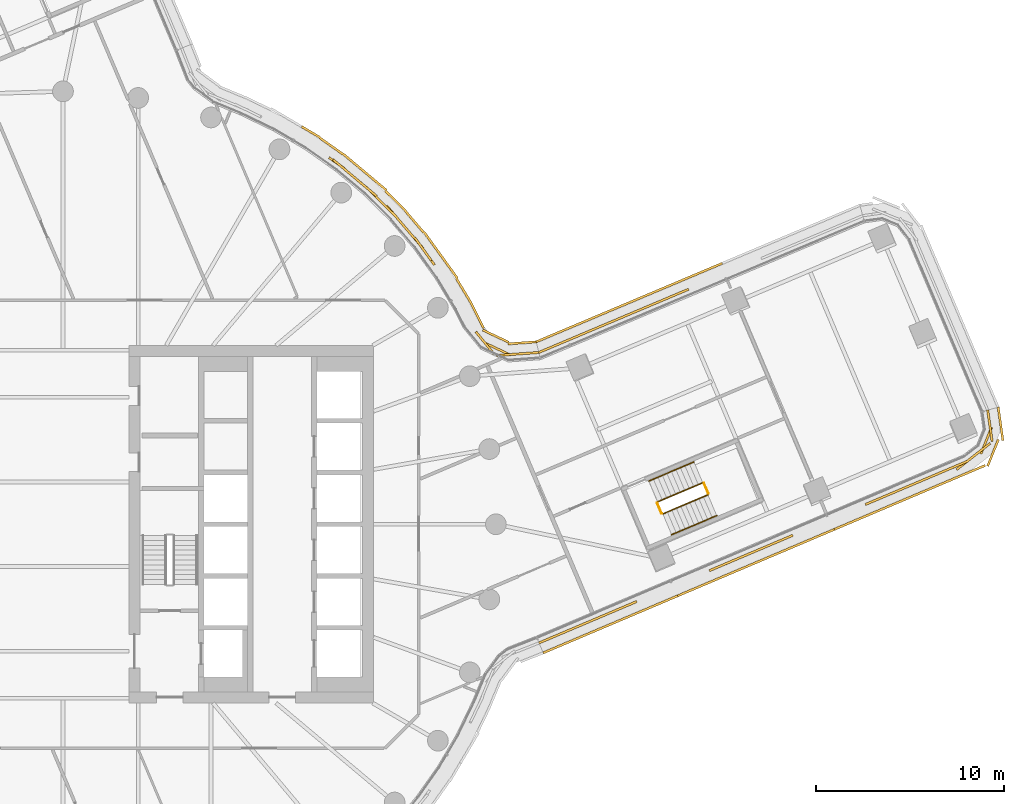
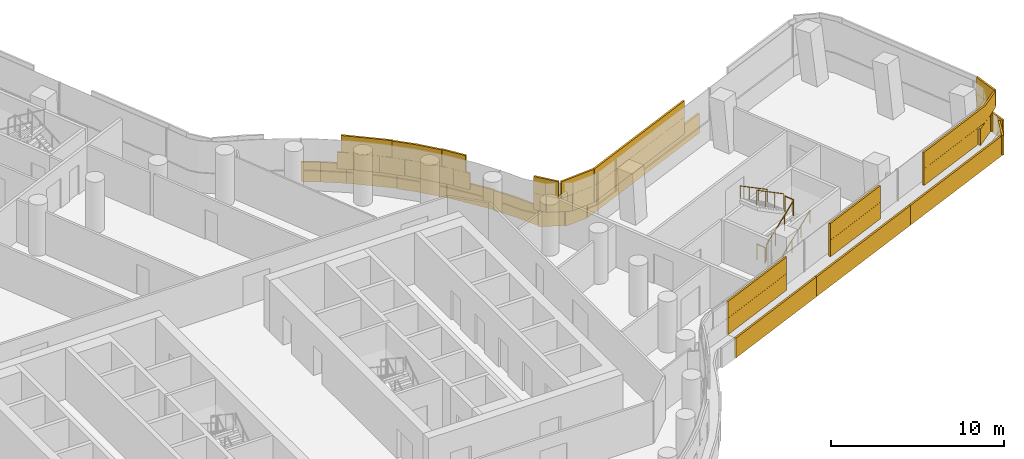
# One storey, part 32 of 35: 6 railings, 5 coverings.
"""IFC4 building model written with IfcOpenShell, lengths in metres."""

from ifc_helpers import new_model, si_unit, direction, frame, origin, origin_2d, place, context, subcontext, project, spatial, rectangle, circle, extrude, material, layer, layer_set, type_object, element, save


model = new_model("IFC4")

# Units and contexts
model_context = context("Model", 3, precision=1e-05, world=origin(), true_north=direction((0.0, 1.0)))
body_context = subcontext(model_context, "Body", "Model", "MODEL_VIEW")
ifc_project = project(units=[si_unit("LENGTHUNIT", "METRE"), si_unit("AREAUNIT", "SQUARE_METRE"), si_unit("VOLUMEUNIT", "CUBIC_METRE"), si_unit("PLANEANGLEUNIT", "RADIAN"), si_unit("MASSUNIT", "GRAM", prefix="KILO")], contexts=[model_context])

# Site, building, storey
site_placement = place(None, origin())
site = spatial("IfcSite", under=ifc_project, at=site_placement, CompositionType="ELEMENT")
building_placement = place(site_placement, origin())
building = spatial("IfcBuilding", under=site, at=building_placement, Name="Tamarind Cross Interchange Tower", CompositionType="ELEMENT")
storey_placement = place(building_placement, frame((0.0, 0.0, 117.25)))
storey = spatial("IfcBuildingStorey", under=building, at=storey_placement, Name="L28", CompositionType="ELEMENT", Elevation=117.25)

# Railings
ifc_material_1 = material(Name="Stair guard")
railing_type_1 = type_object("IfcRailingType", Name="Stair guard", PredefinedType="GUARDRAIL", material=ifc_material_1)
railing_1_placement = place(storey_placement, frame((31.869873046875, 0.547607421875, 0.17041015625)))
element("IfcRailing", 1, at=railing_1_placement, inside=storey, type_object=railing_type_1, Name="L28 ST3 stair guard 1", PredefinedType="GUARDRAIL", context=body_context, shape_type="SweptSolid", body=[
    extrude(circle(Radius=0.02392578125, at=origin_2d()), frame((0.0, 0.0, 1.076171875), z_axis=(0.769885340625, 0.326596606657, 0.548280237479), x_axis=(-0.390528143899, 0.920590988888, 0.0)), (0.0, 0.0, 1.0), 3.10888671875),
    extrude(circle(Radius=0.02099609375, at=origin_2d()), origin(), (0.0, 0.0, 1.0), 1.052001953125),
    extrude(circle(Radius=0.02099609375, at=origin_2d()), frame((0.7978515625, 0.33837890625, 0.568115234375)), (0.0, 0.0, 1.0), 1.052001953125),
    extrude(circle(Radius=0.02099609375, at=origin_2d()), frame((1.595703125, 0.677001953125, 1.136474609375)), (0.0, 0.0, 1.0), 1.052001953125),
    extrude(circle(Radius=0.02099609375, at=origin_2d()), frame((2.3935546875, 1.015380859375, 1.70458984375)), (0.0, 0.0, 1.0), 1.052001953125),
])
railing_2_placement = place(storey_placement, frame((34.289794921875, 1.62841796875, 1.875)))
element("IfcRailing", 2, at=railing_2_placement, inside=storey, type_object=railing_type_1, Name="L28 ST3 stair guard 2", PredefinedType="GUARDRAIL", context=body_context, shape_type="SweptSolid", body=[
    extrude(circle(Radius=0.02392578125, at=origin_2d()), frame((0.0, 0.0, 1.076171875), z_axis=(-0.390184111939, 0.920736856431, 0.0), x_axis=(-0.920736856431, -0.390184111939, 0.0)), (0.0, 0.0, 1.0), 0.60009765625),
    extrude(circle(Radius=0.02099609375, at=origin_2d()), origin(), (0.0, 0.0, 1.0), 1.052001953125),
    extrude(circle(Radius=0.02099609375, at=origin_2d()), frame((-0.234130859375, 0.552490234375, 0.0)), (0.0, 0.0, 1.0), 1.052001953125),
])
railing_3_placement = place(storey_placement, frame((33.989990234375, 2.207275390625, 2.04541015625)))
element("IfcRailing", 3, at=railing_3_placement, inside=storey, type_object=railing_type_1, Name="L28 ST3 stair guard 3", PredefinedType="GUARDRAIL", context=body_context, shape_type="SweptSolid", body=[
    extrude(circle(Radius=0.02392578125, at=origin_2d()), frame((0.0, 0.0, 1.076171875), z_axis=(-0.769905084162, -0.326526452463, 0.548294298003), x_axis=(0.390448560819, -0.920624745135, 0.0)), (0.0, 0.0, 1.0), 3.10888671875),
    extrude(circle(Radius=0.02099609375, at=origin_2d()), origin(), (0.0, 0.0, 1.0), 1.052001953125),
    extrude(circle(Radius=0.02099609375, at=origin_2d()), frame((-0.7978515625, -0.33837890625, 0.568115234375)), (0.0, 0.0, 1.0), 1.052001953125),
    extrude(circle(Radius=0.02099609375, at=origin_2d()), frame((-1.595703125, -0.6767578125, 1.136474609375)), (0.0, 0.0, 1.0), 1.052001953125),
    extrude(circle(Radius=0.02099609375, at=origin_2d()), frame((-2.3935546875, -1.01513671875, 1.70458984375)), (0.0, 0.0, 1.0), 1.052001953125),
])
railing_4_placement = place(storey_placement, frame((31.80419921875, 0.57421875, 0.0)))
element("IfcRailing", 4, at=railing_4_placement, inside=storey, type_object=railing_type_1, Name="L28 ST3 stair guard 4", PredefinedType="GUARDRAIL", context=body_context, shape_type="SweptSolid", body=[
    extrude(circle(Radius=0.02392578125, at=origin_2d()), frame((0.0, 0.0, 1.076171875), z_axis=(-0.390675254549, 0.920528568532, 0.0), x_axis=(-0.920528568532, -0.390675254549, 0.0)), (0.0, 0.0, 1.0), 0.599853515625),
    extrude(circle(Radius=0.02099609375, at=origin_2d()), origin(), (0.0, 0.0, 1.0), 1.052001953125),
    extrude(circle(Radius=0.02099609375, at=origin_2d()), frame((-0.234375, 0.55224609375, 0.0)), (0.0, 0.0, 1.0), 1.052001953125),
])
ifc_material_2 = material(Name="Stair handrail")
railing_type_2 = type_object("IfcRailingType", Name="Stair handrail", PredefinedType="HANDRAIL", material=ifc_material_2)
railing_5_placement = place(storey_placement, frame((32.33837890625, -0.55712890625, 0.17041015625)))
element("IfcRailing", 5, at=railing_5_placement, inside=storey, type_object=railing_type_2, Name="L28 ST3 stair handrail 1", PredefinedType="HANDRAIL", context=body_context, shape_type="SweptSolid", body=[
    extrude(circle(Radius=0.02392578125, at=origin_2d()), frame((0.0, 0.0, 0.8759765625), z_axis=(0.769885340625, 0.326596606657, 0.548280237479), x_axis=(-0.390528143899, 0.920590988888, 0.0)), (0.0, 0.0, 1.0), 3.10888671875),
    extrude(circle(Radius=0.02099609375, at=origin_2d()), origin(), (0.0, 0.0, 1.0), 0.851806640625),
    extrude(circle(Radius=0.02099609375, at=origin_2d()), frame((0.7978515625, 0.33837890625, 0.568115234375)), (0.0, 0.0, 1.0), 0.851806640625),
    extrude(circle(Radius=0.02099609375, at=origin_2d()), frame((1.595703125, 0.677001953125, 1.136474609375)), (0.0, 0.0, 1.0), 0.851806640625),
    extrude(circle(Radius=0.02099609375, at=origin_2d()), frame((2.3935546875, 1.015380859375, 1.70458984375)), (0.0, 0.0, 1.0), 0.851806640625),
])
railing_6_placement = place(storey_placement, frame((33.521484375, 3.31201171875, 2.04541015625)))
element("IfcRailing", 6, at=railing_6_placement, inside=storey, type_object=railing_type_2, Name="L28 ST3 stair handrail 2", PredefinedType="HANDRAIL", context=body_context, shape_type="SweptSolid", body=[
    extrude(circle(Radius=0.02392578125, at=origin_2d()), frame((0.0, 0.0, 0.8759765625), z_axis=(-0.769905084162, -0.326526452463, 0.548294298003), x_axis=(0.390448560819, -0.920624745135, 0.0)), (0.0, 0.0, 1.0), 3.10888671875),
    extrude(circle(Radius=0.02099609375, at=origin_2d()), origin(), (0.0, 0.0, 1.0), 0.851806640625),
    extrude(circle(Radius=0.02099609375, at=origin_2d()), frame((-0.7978515625, -0.33837890625, 0.568115234375)), (0.0, 0.0, 1.0), 0.851806640625),
    extrude(circle(Radius=0.02099609375, at=origin_2d()), frame((-1.595703125, -0.6767578125, 1.136474609375)), (0.0, 0.0, 1.0), 0.851806640625),
    extrude(circle(Radius=0.02099609375, at=origin_2d()), frame((-2.3935546875, -1.01513671875, 1.70458984375)), (0.0, 0.0, 1.0), 0.851806640625),
])

# Coverings
ifc_material_3 = material(Name="Terracotta", Category="masonry")
ifc_layer = layer(ifc_material_3, 0.1201171875)
ifc_layer_set = layer_set([ifc_layer], Name="Terracotta")
covering_type = type_object("IfcCoveringType", Name="Terracotta baguette screen unit", PredefinedType="MOLDING", material=ifc_layer_set)
covering_1_placement = place(storey_placement, origin())
element("IfcCovering", 7, at=covering_1_placement, inside=storey, type_object=covering_type, Name="SCR-L28-07-00", PredefinedType="MOLDING", context=body_context, shape_type="SweptSolid", body=[
    extrude(rectangle(XDim=1.510009765625, YDim=0.1201171875, at=origin_2d()), frame((25.98388671875, -6.01171875, 1.404052734375), z_axis=(0.0, 0.0, 1.0), x_axis=(0.920603025823, 0.390499768049, 0.0)), (0.0, 0.0, 1.0), 1.1669921875),
    extrude(rectangle(XDim=1.52001953125, YDim=0.1201171875, at=origin_2d()), frame((27.36474609375, -5.42578125, 1.404052734375), z_axis=(0.0, 0.0, 1.0), x_axis=(0.920603025823, 0.390499768049, 0.0)), (0.0, 0.0, 1.0), 1.1669921875),
    extrude(rectangle(XDim=1.52001953125, YDim=0.1201171875, at=origin_2d()), frame((28.74560546875, -4.840087890625, 1.404052734375), z_axis=(0.0, 0.0, 1.0), x_axis=(0.920603025823, 0.390499768049, 0.0)), (0.0, 0.0, 1.0), 1.1669921875),
    extrude(rectangle(XDim=1.142822265625, YDim=0.1201171875, at=origin_2d()), frame((29.95751953125, -4.325927734375, 1.404052734375), z_axis=(0.0, 0.0, 1.0), x_axis=(0.920603025823, 0.390499768049, 0.0)), (0.0, 0.0, 1.0), 1.1669921875),
    extrude(rectangle(XDim=0.760009765625, YDim=0.1201171875, at=origin_2d()), frame((25.638671875, -6.157958984375, 2.5791015625), z_axis=(0.0, 0.0, 1.0), x_axis=(0.920603025823, 0.390499768049, 0.0)), (0.0, 0.0, 1.0), 1.1669921875),
    extrude(rectangle(XDim=1.52001953125, YDim=0.1201171875, at=origin_2d()), frame((26.67431640625, -5.71875, 2.5791015625), z_axis=(0.0, 0.0, 1.0), x_axis=(0.920603025823, 0.390499768049, 0.0)), (0.0, 0.0, 1.0), 1.1669921875),
    extrude(rectangle(XDim=1.52001953125, YDim=0.1201171875, at=origin_2d()), frame((28.05517578125, -5.133056640625, 2.5791015625), z_axis=(0.0, 0.0, 1.0), x_axis=(0.920603025823, 0.390499768049, 0.0)), (0.0, 0.0, 1.0), 1.1669921875),
    extrude(rectangle(XDim=1.52001953125, YDim=0.1201171875, at=origin_2d()), frame((29.43603515625, -4.547119140625, 2.5791015625), z_axis=(0.0, 0.0, 1.0), x_axis=(0.920603025823, 0.390499768049, 0.0)), (0.0, 0.0, 1.0), 1.1669921875),
    extrude(rectangle(XDim=0.392822265625, YDim=0.1201171875, at=origin_2d()), frame((30.302734375, -4.1796875, 2.5791015625), z_axis=(0.0, 0.0, 1.0), x_axis=(0.920603025823, 0.390499768049, 0.0)), (0.0, 0.0, 1.0), 1.1669921875),
    extrude(rectangle(XDim=1.510009765625, YDim=0.1201171875, at=origin_2d()), frame((26.205810546875, -6.541015625, 0.00390625), z_axis=(0.0, 0.0, 1.0), x_axis=(0.920603025823, 0.390499768049, 0.0)), (0.0, 0.0, 1.0), 1.39208984375),
    extrude(rectangle(XDim=1.52001953125, YDim=0.1201171875, at=origin_2d()), frame((27.582275390625, -5.95703125, 0.00390625), z_axis=(0.0, 0.0, 1.0), x_axis=(0.920603025823, 0.390499768049, 0.0)), (0.0, 0.0, 1.0), 1.39208984375),
    extrude(rectangle(XDim=1.52001953125, YDim=0.1201171875, at=origin_2d()), frame((28.963134765625, -5.371337890625, 0.00390625), z_axis=(0.0, 0.0, 1.0), x_axis=(0.920603025823, 0.390499768049, 0.0)), (0.0, 0.0, 1.0), 1.39208984375),
    extrude(rectangle(XDim=1.52001953125, YDim=0.1201171875, at=origin_2d()), frame((30.343994140625, -4.78564453125, 0.00390625), z_axis=(0.0, 0.0, 1.0), x_axis=(0.920603025823, 0.390499768049, 0.0)), (0.0, 0.0, 1.0), 1.39208984375),
    extrude(rectangle(XDim=1.52001953125, YDim=0.1201171875, at=origin_2d()), frame((31.724853515625, -4.199951171875, 0.00390625), z_axis=(0.0, 0.0, 1.0), x_axis=(0.920603025823, 0.390499768049, 0.0)), (0.0, 0.0, 1.0), 1.39208984375),
    extrude(rectangle(XDim=0.268798828125, YDim=0.1201171875, at=origin_2d()), frame((32.52978515625, -3.8583984375, 0.00390625), z_axis=(0.0, 0.0, 1.0), x_axis=(0.920603025823, 0.390499768049, 0.0)), (0.0, 0.0, 1.0), 1.39208984375),
])
covering_2_placement = place(storey_placement, origin())
element("IfcCovering", 8, at=covering_2_placement, inside=storey, type_object=covering_type, Name="SCR-L28-07-01", PredefinedType="MOLDING", context=body_context, shape_type="SweptSolid", body=[
    extrude(rectangle(XDim=0.67724609375, YDim=0.1201171875, at=origin_2d()), frame((34.652587890625, -2.33447265625, 1.404052734375), z_axis=(0.0, 0.0, 1.0), x_axis=(0.920603025823, 0.390499768049, 0.0)), (0.0, 0.0, 1.0), 1.1669921875),
    extrude(rectangle(XDim=1.52001953125, YDim=0.1201171875, at=origin_2d()), frame((35.650146484375, -1.911376953125, 1.404052734375), z_axis=(0.0, 0.0, 1.0), x_axis=(0.920603025823, 0.390499768049, 0.0)), (0.0, 0.0, 1.0), 1.1669921875),
    extrude(rectangle(XDim=1.52001953125, YDim=0.1201171875, at=origin_2d()), frame((37.031005859375, -1.32568359375, 1.404052734375), z_axis=(0.0, 0.0, 1.0), x_axis=(0.920603025823, 0.390499768049, 0.0)), (0.0, 0.0, 1.0), 1.1669921875),
    extrude(rectangle(XDim=1.147705078125, YDim=0.1201171875, at=origin_2d()), frame((38.2451171875, -0.810546875, 1.404052734375), z_axis=(0.0, 0.0, 1.0), x_axis=(0.920603025823, 0.390499768049, 0.0)), (0.0, 0.0, 1.0), 1.1669921875),
    extrude(rectangle(XDim=1.42724609375, YDim=0.1201171875, at=origin_2d()), frame((34.997802734375, -2.18798828125, 2.5791015625), z_axis=(0.0, 0.0, 1.0), x_axis=(0.920603025823, 0.390499768049, 0.0)), (0.0, 0.0, 1.0), 1.1669921875),
    extrude(rectangle(XDim=1.52001953125, YDim=0.1201171875, at=origin_2d()), frame((36.340576171875, -1.618408203125, 2.5791015625), z_axis=(0.0, 0.0, 1.0), x_axis=(0.920603025823, 0.390499768049, 0.0)), (0.0, 0.0, 1.0), 1.1669921875),
    extrude(rectangle(XDim=1.52001953125, YDim=0.1201171875, at=origin_2d()), frame((37.721435546875, -1.03271484375, 2.5791015625), z_axis=(0.0, 0.0, 1.0), x_axis=(0.920603025823, 0.390499768049, 0.0)), (0.0, 0.0, 1.0), 1.1669921875),
    extrude(rectangle(XDim=0.397705078125, YDim=0.1201171875, at=origin_2d()), frame((38.59033203125, -0.6640625, 2.5791015625), z_axis=(0.0, 0.0, 1.0), x_axis=(0.920603025823, 0.390499768049, 0.0)), (0.0, 0.0, 1.0), 1.1669921875),
    extrude(rectangle(XDim=1.251220703125, YDim=0.1201171875, at=origin_2d()), frame((33.2294921875, -3.561767578125, 0.00390625), z_axis=(0.0, 0.0, 1.0), x_axis=(0.920603025823, 0.390499768049, 0.0)), (0.0, 0.0, 1.0), 1.39208984375),
    extrude(rectangle(XDim=1.52001953125, YDim=0.1201171875, at=origin_2d()), frame((34.48681640625, -3.0283203125, 0.00390625), z_axis=(0.0, 0.0, 1.0), x_axis=(0.920603025823, 0.390499768049, 0.0)), (0.0, 0.0, 1.0), 1.39208984375),
    extrude(rectangle(XDim=1.52001953125, YDim=0.1201171875, at=origin_2d()), frame((35.86767578125, -2.442626953125, 0.00390625), z_axis=(0.0, 0.0, 1.0), x_axis=(0.920603025823, 0.390499768049, 0.0)), (0.0, 0.0, 1.0), 1.39208984375),
    extrude(rectangle(XDim=1.52001953125, YDim=0.1201171875, at=origin_2d()), frame((37.24853515625, -1.85693359375, 0.00390625), z_axis=(0.0, 0.0, 1.0), x_axis=(0.920603025823, 0.390499768049, 0.0)), (0.0, 0.0, 1.0), 1.39208984375),
    extrude(rectangle(XDim=1.52001953125, YDim=0.1201171875, at=origin_2d()), frame((38.62939453125, -1.271240234375, 0.00390625), z_axis=(0.0, 0.0, 1.0), x_axis=(0.920603025823, 0.390499768049, 0.0)), (0.0, 0.0, 1.0), 1.39208984375),
    extrude(rectangle(XDim=1.52001953125, YDim=0.1201171875, at=origin_2d()), frame((40.01025390625, -0.685302734375, 0.00390625), z_axis=(0.0, 0.0, 1.0), x_axis=(0.920603025823, 0.390499768049, 0.0)), (0.0, 0.0, 1.0), 1.39208984375),
    extrude(rectangle(XDim=0.3037109375, YDim=0.1201171875, at=origin_2d()), frame((40.831298828125, -0.337158203125, 0.00390625), z_axis=(0.0, 0.0, 1.0), x_axis=(0.920603025823, 0.390499768049, 0.0)), (0.0, 0.0, 1.0), 1.39208984375),
])
covering_3_placement = place(storey_placement, origin())
element("IfcCovering", 9, at=covering_3_placement, inside=storey, type_object=covering_type, Name="SCR-L28-07-02", PredefinedType="MOLDING", context=body_context, shape_type="SweptSolid", body=[
    extrude(rectangle(XDim=0.67236328125, YDim=0.1201171875, at=origin_2d()), frame((42.940185546875, 1.180908203125, 1.404052734375), z_axis=(0.0, 0.0, 1.0), x_axis=(0.920603025823, 0.390499768049, 0.0)), (0.0, 0.0, 1.0), 1.1669921875),
    extrude(rectangle(XDim=1.52001953125, YDim=0.1201171875, at=origin_2d()), frame((43.935546875, 1.60302734375, 1.404052734375), z_axis=(0.0, 0.0, 1.0), x_axis=(0.920603025823, 0.390499768049, 0.0)), (0.0, 0.0, 1.0), 1.1669921875),
    extrude(rectangle(XDim=1.52001953125, YDim=0.1201171875, at=origin_2d()), frame((45.31640625, 2.18896484375, 1.404052734375), z_axis=(0.0, 0.0, 1.0), x_axis=(0.920603025823, 0.390499768049, 0.0)), (0.0, 0.0, 1.0), 1.1669921875),
    extrude(rectangle(XDim=1.52001953125, YDim=0.1201171875, at=origin_2d()), frame((46.697509765625, 2.774658203125, 1.404052734375), z_axis=(0.0, 0.0, 1.0), x_axis=(0.920603025823, 0.390499768049, 0.0)), (0.0, 0.0, 1.0), 1.1669921875),
    extrude(rectangle(XDim=1.52001953125, YDim=0.1201171875, at=origin_2d()), frame((48.071044921875, 3.37255859375, 1.404052734375), z_axis=(0.0, 0.0, 1.0), x_axis=(0.788165461323, 0.61546340718, 0.0)), (0.0, 0.0, 1.0), 1.1669921875),
    extrude(rectangle(XDim=1.52001953125, YDim=0.1201171875, at=origin_2d()), frame((49.0537109375, 4.4462890625, 1.404052734375), z_axis=(0.0, 0.0, 1.0), x_axis=(0.374839608301, 0.927089676379, 0.0)), (0.0, 0.0, 1.0), 1.1669921875),
    extrude(rectangle(XDim=0.931640625, YDim=0.1201171875, at=origin_2d()), frame((49.19384765625, 5.607421875, 1.404052734375), z_axis=(0.0, 0.0, 1.0), x_axis=(-0.138924215056, 0.990303015481, 0.0)), (0.0, 0.0, 1.0), 1.1669921875),
    extrude(rectangle(XDim=1.42236328125, YDim=0.1201171875, at=origin_2d()), frame((43.285400390625, 1.327392578125, 2.5791015625), z_axis=(0.0, 0.0, 1.0), x_axis=(0.920603025823, 0.390499768049, 0.0)), (0.0, 0.0, 1.0), 1.1669921875),
    extrude(rectangle(XDim=1.52001953125, YDim=0.1201171875, at=origin_2d()), frame((44.6259765625, 1.89599609375, 2.5791015625), z_axis=(0.0, 0.0, 1.0), x_axis=(0.920603025823, 0.390499768049, 0.0)), (0.0, 0.0, 1.0), 1.1669921875),
    extrude(rectangle(XDim=1.52001953125, YDim=0.1201171875, at=origin_2d()), frame((46.007080078125, 2.481689453125, 2.5791015625), z_axis=(0.0, 0.0, 1.0), x_axis=(0.920603025823, 0.390499768049, 0.0)), (0.0, 0.0, 1.0), 1.1669921875),
    extrude(rectangle(XDim=1.52001953125, YDim=0.1201171875, at=origin_2d()), frame((47.387939453125, 3.067626953125, 2.5791015625), z_axis=(0.0, 0.0, 1.0), x_axis=(0.920603025823, 0.390499768049, 0.0)), (0.0, 0.0, 1.0), 1.1669921875),
    extrude(rectangle(XDim=1.52001953125, YDim=0.1201171875, at=origin_2d()), frame((48.662353515625, 3.834228515625, 2.5791015625), z_axis=(0.0, 0.0, 1.0), x_axis=(0.788165461323, 0.61546340718, 0.0)), (0.0, 0.0, 1.0), 1.1669921875),
    extrude(rectangle(XDim=1.52001953125, YDim=0.1201171875, at=origin_2d()), frame((49.258056640625, 5.151123046875, 2.5791015625), z_axis=(0.0, 0.0, 1.0), x_axis=(-0.138924215056, 0.990303015481, 0.0)), (0.0, 0.0, 1.0), 1.1669921875),
    extrude(rectangle(XDim=0.181640625, YDim=0.1201171875, at=origin_2d()), frame((49.141845703125, 5.978759765625, 2.5791015625), z_axis=(0.0, 0.0, 1.0), x_axis=(-0.138924215056, 0.990303015481, 0.0)), (0.0, 0.0, 1.0), 1.1669921875),
    extrude(rectangle(XDim=1.21630859375, YDim=0.1201171875, at=origin_2d()), frame((41.531005859375, -0.040283203125, 0.00390625), z_axis=(0.0, 0.0, 1.0), x_axis=(0.920603025823, 0.390499768049, 0.0)), (0.0, 0.0, 1.0), 1.39208984375),
    extrude(rectangle(XDim=1.52001953125, YDim=0.1201171875, at=origin_2d()), frame((42.772216796875, 0.486083984375, 0.00390625), z_axis=(0.0, 0.0, 1.0), x_axis=(0.920603025823, 0.390499768049, 0.0)), (0.0, 0.0, 1.0), 1.39208984375),
    extrude(rectangle(XDim=1.52001953125, YDim=0.1201171875, at=origin_2d()), frame((44.153076171875, 1.07177734375, 0.00390625), z_axis=(0.0, 0.0, 1.0), x_axis=(0.920603025823, 0.390499768049, 0.0)), (0.0, 0.0, 1.0), 1.39208984375),
    extrude(rectangle(XDim=1.52001953125, YDim=0.1201171875, at=origin_2d()), frame((45.533935546875, 1.65771484375, 0.00390625), z_axis=(0.0, 0.0, 1.0), x_axis=(0.920603025823, 0.390499768049, 0.0)), (0.0, 0.0, 1.0), 1.39208984375),
    extrude(rectangle(XDim=1.52001953125, YDim=0.1201171875, at=origin_2d()), frame((46.914794921875, 2.243408203125, 0.00390625), z_axis=(0.0, 0.0, 1.0), x_axis=(0.920603025823, 0.390499768049, 0.0)), (0.0, 0.0, 1.0), 1.39208984375),
    extrude(rectangle(XDim=1.52001953125, YDim=0.1201171875, at=origin_2d()), frame((48.295654296875, 2.8291015625, 0.00390625), z_axis=(0.0, 0.0, 1.0), x_axis=(0.920603025823, 0.390499768049, 0.0)), (0.0, 0.0, 1.0), 1.39208984375),
    extrude(rectangle(XDim=1.52001953125, YDim=0.1201171875, at=origin_2d()), frame((49.4111328125, 3.799072265625, 0.00390625), z_axis=(0.0, 0.0, 1.0), x_axis=(0.374839608301, 0.927089676379, 0.0)), (0.0, 0.0, 1.0), 1.39208984375),
    extrude(rectangle(XDim=1.52001953125, YDim=0.1201171875, at=origin_2d()), frame((49.82958984375, 5.20751953125, 0.00390625), z_axis=(0.0, 0.0, 1.0), x_axis=(-0.138924215056, 0.990303015481, 0.0)), (0.0, 0.0, 1.0), 1.39208984375),
    extrude(rectangle(XDim=0.28076171875, YDim=0.1201171875, at=origin_2d()), frame((49.707275390625, 6.079345703125, 0.00390625), z_axis=(0.0, 0.0, 1.0), x_axis=(-0.138924215056, 0.990303015481, 0.0)), (0.0, 0.0, 1.0), 1.39208984375),
])
covering_4_placement = place(storey_placement, origin())
element("IfcCovering", 10, at=covering_4_placement, inside=storey, type_object=covering_type, Name="SCR-L28-09-01", PredefinedType="MOLDING", context=body_context, shape_type="SweptSolid", body=[
    extrude(rectangle(XDim=0.45751953125, YDim=0.1201171875, at=origin_2d()), frame((33.02392578125, 12.396484375, 1.404052734375), z_axis=(0.0, 0.0, 1.0), x_axis=(-0.921263635853, -0.388938701154, 0.0)), (0.0, 0.0, 1.0), 1.1669921875),
    extrude(rectangle(XDim=1.52001953125, YDim=0.1201171875, at=origin_2d()), frame((32.126953125, 12.017822265625, 1.404052734375), z_axis=(0.0, 0.0, 1.0), x_axis=(-0.921263635853, -0.388938701154, 0.0)), (0.0, 0.0, 1.0), 1.1669921875),
    extrude(rectangle(XDim=1.52001953125, YDim=0.1201171875, at=origin_2d()), frame((30.744873046875, 11.434326171875, 1.404052734375), z_axis=(0.0, 0.0, 1.0), x_axis=(-0.921263635853, -0.388938701154, 0.0)), (0.0, 0.0, 1.0), 1.1669921875),
    extrude(rectangle(XDim=1.52001953125, YDim=0.1201171875, at=origin_2d()), frame((29.363037109375, 10.850830078125, 1.404052734375), z_axis=(0.0, 0.0, 1.0), x_axis=(-0.921263635853, -0.388938701154, 0.0)), (0.0, 0.0, 1.0), 1.1669921875),
    extrude(rectangle(XDim=1.52001953125, YDim=0.1201171875, at=origin_2d()), frame((27.981201171875, 10.267578125, 1.404052734375), z_axis=(0.0, 0.0, 1.0), x_axis=(-0.921263635853, -0.388938701154, 0.0)), (0.0, 0.0, 1.0), 1.1669921875),
    extrude(rectangle(XDim=1.52001953125, YDim=0.1201171875, at=origin_2d()), frame((26.599365234375, 9.68408203125, 1.404052734375), z_axis=(0.0, 0.0, 1.0), x_axis=(-0.921263635853, -0.388938701154, 0.0)), (0.0, 0.0, 1.0), 1.1669921875),
    extrude(rectangle(XDim=0.69384765625, YDim=0.1201171875, at=origin_2d()), frame((25.59326171875, 9.259521484375, 1.404052734375), z_axis=(0.0, 0.0, 1.0), x_axis=(-0.921263635853, -0.388938701154, 0.0)), (0.0, 0.0, 1.0), 1.1669921875),
    extrude(rectangle(XDim=1.20751953125, YDim=0.1201171875, at=origin_2d()), frame((32.678466796875, 12.250732421875, 2.5791015625), z_axis=(0.0, 0.0, 1.0), x_axis=(-0.921263635853, -0.388938701154, 0.0)), (0.0, 0.0, 1.0), 1.1669921875),
    extrude(rectangle(XDim=1.52001953125, YDim=0.1201171875, at=origin_2d()), frame((31.435791015625, 11.72607421875, 2.5791015625), z_axis=(0.0, 0.0, 1.0), x_axis=(-0.921263635853, -0.388938701154, 0.0)), (0.0, 0.0, 1.0), 1.1669921875),
    extrude(rectangle(XDim=1.52001953125, YDim=0.1201171875, at=origin_2d()), frame((30.053955078125, 11.142578125, 2.5791015625), z_axis=(0.0, 0.0, 1.0), x_axis=(-0.921263635853, -0.388938701154, 0.0)), (0.0, 0.0, 1.0), 1.1669921875),
    extrude(rectangle(XDim=1.52001953125, YDim=0.1201171875, at=origin_2d()), frame((28.672119140625, 10.559326171875, 2.5791015625), z_axis=(0.0, 0.0, 1.0), x_axis=(-0.921263635853, -0.388938701154, 0.0)), (0.0, 0.0, 1.0), 1.1669921875),
    extrude(rectangle(XDim=1.52001953125, YDim=0.1201171875, at=origin_2d()), frame((27.290283203125, 9.975830078125, 2.5791015625), z_axis=(0.0, 0.0, 1.0), x_axis=(-0.921263635853, -0.388938701154, 0.0)), (0.0, 0.0, 1.0), 1.1669921875),
    extrude(rectangle(XDim=1.44384765625, YDim=0.1201171875, at=origin_2d()), frame((25.938720703125, 9.4052734375, 2.5791015625), z_axis=(0.0, 0.0, 1.0), x_axis=(-0.921263635853, -0.388938701154, 0.0)), (0.0, 0.0, 1.0), 1.1669921875),
    extrude(rectangle(XDim=1.06591796875, YDim=0.1201171875, at=origin_2d()), frame((34.52734375, 13.654296875, 0.00390625), z_axis=(0.0, 0.0, 1.0), x_axis=(-0.921263635853, -0.388938701154, 0.0)), (0.0, 0.0, 1.0), 1.39208984375),
    extrude(rectangle(XDim=1.52001953125, YDim=0.1201171875, at=origin_2d()), frame((33.354736328125, 13.1591796875, 0.00390625), z_axis=(0.0, 0.0, 1.0), x_axis=(-0.921263635853, -0.388938701154, 0.0)), (0.0, 0.0, 1.0), 1.39208984375),
    extrude(rectangle(XDim=1.52001953125, YDim=0.1201171875, at=origin_2d()), frame((31.97265625, 12.57568359375, 0.00390625), z_axis=(0.0, 0.0, 1.0), x_axis=(-0.921263635853, -0.388938701154, 0.0)), (0.0, 0.0, 1.0), 1.39208984375),
    extrude(rectangle(XDim=1.52001953125, YDim=0.1201171875, at=origin_2d()), frame((30.5908203125, 11.992431640625, 0.00390625), z_axis=(0.0, 0.0, 1.0), x_axis=(-0.921263635853, -0.388938701154, 0.0)), (0.0, 0.0, 1.0), 1.39208984375),
    extrude(rectangle(XDim=1.52001953125, YDim=0.1201171875, at=origin_2d()), frame((29.208984375, 11.408935546875, 0.00390625), z_axis=(0.0, 0.0, 1.0), x_axis=(-0.921263635853, -0.388938701154, 0.0)), (0.0, 0.0, 1.0), 1.39208984375),
    extrude(rectangle(XDim=1.52001953125, YDim=0.1201171875, at=origin_2d()), frame((27.8271484375, 10.825439453125, 0.00390625), z_axis=(0.0, 0.0, 1.0), x_axis=(-0.921263635853, -0.388938701154, 0.0)), (0.0, 0.0, 1.0), 1.39208984375),
    extrude(rectangle(XDim=1.52001953125, YDim=0.1201171875, at=origin_2d()), frame((26.445068359375, 10.2421875, 0.00390625), z_axis=(0.0, 0.0, 1.0), x_axis=(-0.921263635853, -0.388938701154, 0.0)), (0.0, 0.0, 1.0), 1.39208984375),
    extrude(rectangle(XDim=0.673828125, YDim=0.1201171875, at=origin_2d()), frame((25.453125, 9.8232421875, 0.00390625), z_axis=(0.0, 0.0, 1.0), x_axis=(-0.921263635853, -0.388938701154, 0.0)), (0.0, 0.0, 1.0), 1.39208984375),
])
covering_5_placement = place(storey_placement, origin())
element("IfcCovering", 11, at=covering_5_placement, inside=storey, type_object=covering_type, Name="SCR-L28-10-00", PredefinedType="MOLDING", context=body_context, shape_type="SweptSolid", body=[
    extrude(rectangle(XDim=1.510009765625, YDim=0.1201171875, at=origin_2d()), frame((24.5302734375, 9.072998046875, 1.404052734375), z_axis=(0.0, 0.0, 1.0), x_axis=(-0.997457693651, -0.071261135101, 0.0)), (0.0, 0.0, 1.0), 1.1669921875),
    extrude(rectangle(XDim=1.52001953125, YDim=0.1201171875, at=origin_2d()), frame((23.09814453125, 9.308349609375, 1.404052734375), z_axis=(0.0, 0.0, 1.0), x_axis=(-0.904286788189, 0.426925525948, 0.0)), (0.0, 0.0, 1.0), 1.1669921875),
    extrude(rectangle(XDim=0.775390625, YDim=0.1201171875, at=origin_2d()), frame((22.179443359375, 9.92724609375, 1.404052734375), z_axis=(0.0, 0.0, 1.0), x_axis=(-0.632251861763, 0.774762920704, 0.0)), (0.0, 0.0, 1.0), 1.1669921875),
    extrude(rectangle(XDim=1.044677734375, YDim=0.1201171875, at=origin_2d()), frame((19.427490234375, 14.203857421875, 1.404052734375), z_axis=(0.0, 0.0, 1.0), x_axis=(-0.584573890505, 0.811340475102, 0.0)), (0.0, 0.0, 1.0), 1.1669921875),
    extrude(rectangle(XDim=1.52001953125, YDim=0.1201171875, at=origin_2d()), frame((18.658203125, 15.20947265625, 1.404052734375), z_axis=(0.0, 0.0, 1.0), x_axis=(-0.64957723968, 0.760295606781, 0.0)), (0.0, 0.0, 1.0), 1.1669921875),
    extrude(rectangle(XDim=1.52001953125, YDim=0.1201171875, at=origin_2d()), frame((17.683837890625, 16.35009765625, 1.404052734375), z_axis=(0.0, 0.0, 1.0), x_axis=(-0.64957723968, 0.760295606781, 0.0)), (0.0, 0.0, 1.0), 1.1669921875),
    extrude(rectangle(XDim=1.52001953125, YDim=0.1201171875, at=origin_2d()), frame((16.62158203125, 17.408935546875, 1.404052734375), z_axis=(0.0, 0.0, 1.0), x_axis=(-0.710143317658, 0.704057148523, 0.0)), (0.0, 0.0, 1.0), 1.1669921875),
    extrude(rectangle(XDim=1.52001953125, YDim=0.1201171875, at=origin_2d()), frame((15.503173828125, 18.406494140625, 1.404052734375), z_axis=(0.0, 0.0, 1.0), x_axis=(-0.765858396687, 0.643009266048, 0.0)), (0.0, 0.0, 1.0), 1.1669921875),
    extrude(rectangle(XDim=0.99560546875, YDim=0.1201171875, at=origin_2d()), frame((14.540771484375, 19.19189453125, 1.404052734375), z_axis=(0.0, 0.0, 1.0), x_axis=(-0.816341886298, 0.577568978284, 0.0)), (0.0, 0.0, 1.0), 1.1669921875),
    extrude(rectangle(XDim=0.760009765625, YDim=0.1201171875, at=origin_2d()), frame((24.904296875, 9.099609375, 2.5791015625), z_axis=(0.0, 0.0, 1.0), x_axis=(-0.997457693651, -0.071261135101, 0.0)), (0.0, 0.0, 1.0), 1.1669921875),
    extrude(rectangle(XDim=1.52001953125, YDim=0.1201171875, at=origin_2d()), frame((23.7822265625, 9.01953125, 2.5791015625), z_axis=(0.0, 0.0, 1.0), x_axis=(-0.997457693651, -0.071261135101, 0.0)), (0.0, 0.0, 1.0), 1.1669921875),
    extrude(rectangle(XDim=1.52001953125, YDim=0.1201171875, at=origin_2d()), frame((22.421630859375, 9.630615234375, 2.5791015625), z_axis=(0.0, 0.0, 1.0), x_axis=(-0.632251861763, 0.774762920704, 0.0)), (0.0, 0.0, 1.0), 1.1669921875),
    extrude(rectangle(XDim=1.52001953125, YDim=0.1201171875, at=origin_2d()), frame((19.125, 14.62353515625, 2.5791015625), z_axis=(0.0, 0.0, 1.0), x_axis=(-0.584573890505, 0.811340475102, 0.0)), (0.0, 0.0, 1.0), 1.1669921875),
    extrude(rectangle(XDim=1.52001953125, YDim=0.1201171875, at=origin_2d()), frame((18.1708984375, 15.77978515625, 2.5791015625), z_axis=(0.0, 0.0, 1.0), x_axis=(-0.64957723968, 0.760295606781, 0.0)), (0.0, 0.0, 1.0), 1.1669921875),
    extrude(rectangle(XDim=1.52001953125, YDim=0.1201171875, at=origin_2d()), frame((17.154296875, 16.880859375, 2.5791015625), z_axis=(0.0, 0.0, 1.0), x_axis=(-0.710143317658, 0.704057148523, 0.0)), (0.0, 0.0, 1.0), 1.1669921875),
    extrude(rectangle(XDim=1.52001953125, YDim=0.1201171875, at=origin_2d()), frame((16.077392578125, 17.92431640625, 2.5791015625), z_axis=(0.0, 0.0, 1.0), x_axis=(-0.765858396687, 0.643009266048, 0.0)), (0.0, 0.0, 1.0), 1.1669921875),
    extrude(rectangle(XDim=1.52001953125, YDim=0.1201171875, at=origin_2d()), frame((14.9287109375, 18.888916015625, 2.5791015625), z_axis=(0.0, 0.0, 1.0), x_axis=(-0.765858396687, 0.643009266048, 0.0)), (0.0, 0.0, 1.0), 1.1669921875),
    extrude(rectangle(XDim=1.510009765625, YDim=0.1201171875, at=origin_2d()), frame((24.3896484375, 9.638427734375, 0.00390625), z_axis=(0.0, 0.0, 1.0), x_axis=(-0.997457693651, -0.071261135101, 0.0)), (0.0, 0.0, 1.0), 1.39208984375),
    extrude(rectangle(XDim=1.52001953125, YDim=0.1201171875, at=origin_2d()), frame((22.985107421875, 9.996337890625, 0.00390625), z_axis=(0.0, 0.0, 1.0), x_axis=(-0.904286788189, 0.426925525948, 0.0)), (0.0, 0.0, 1.0), 1.39208984375),
    extrude(rectangle(XDim=1.52001953125, YDim=0.1201171875, at=origin_2d()), frame((22.002685546875, 11.098876953125, 0.00390625), z_axis=(0.0, 0.0, 1.0), x_axis=(-0.446827192786, 0.894620288048, 0.0)), (0.0, 0.0, 1.0), 1.39208984375),
    extrude(rectangle(XDim=1.52001953125, YDim=0.1201171875, at=origin_2d()), frame((21.28564453125, 12.4150390625, 0.00390625), z_axis=(0.0, 0.0, 1.0), x_axis=(-0.515577308909, 0.856843065292, 0.0)), (0.0, 0.0, 1.0), 1.39208984375),
    extrude(rectangle(XDim=1.52001953125, YDim=0.1201171875, at=origin_2d()), frame((20.50244140625, 13.69384765625, 0.00390625), z_axis=(0.0, 0.0, 1.0), x_axis=(-0.584573890505, 0.811340475102, 0.0)), (0.0, 0.0, 1.0), 1.39208984375),
    extrude(rectangle(XDim=1.52001953125, YDim=0.1201171875, at=origin_2d()), frame((19.62548828125, 14.910888671875, 0.00390625), z_axis=(0.0, 0.0, 1.0), x_axis=(-0.584573890505, 0.811340475102, 0.0)), (0.0, 0.0, 1.0), 1.39208984375),
    extrude(rectangle(XDim=1.52001953125, YDim=0.1201171875, at=origin_2d()), frame((18.6767578125, 16.0712890625, 0.00390625), z_axis=(0.0, 0.0, 1.0), x_axis=(-0.64957723968, 0.760295606781, 0.0)), (0.0, 0.0, 1.0), 1.39208984375),
    extrude(rectangle(XDim=1.52001953125, YDim=0.1201171875, at=origin_2d()), frame((17.66796875, 17.179931640625, 0.00390625), z_axis=(0.0, 0.0, 1.0), x_axis=(-0.710143317658, 0.704057148523, 0.0)), (0.0, 0.0, 1.0), 1.39208984375),
    extrude(rectangle(XDim=1.52001953125, YDim=0.1201171875, at=origin_2d()), frame((16.60107421875, 18.234130859375, 0.00390625), z_axis=(0.0, 0.0, 1.0), x_axis=(-0.765858396687, 0.643009266048, 0.0)), (0.0, 0.0, 1.0), 1.39208984375),
    extrude(rectangle(XDim=1.52001953125, YDim=0.1201171875, at=origin_2d()), frame((15.452392578125, 19.19873046875, 0.00390625), z_axis=(0.0, 0.0, 1.0), x_axis=(-0.765858396687, 0.643009266048, 0.0)), (0.0, 0.0, 1.0), 1.39208984375),
    extrude(rectangle(XDim=1.52001953125, YDim=0.1201171875, at=origin_2d()), frame((14.25341796875, 20.098388671875, 0.00390625), z_axis=(0.0, 0.0, 1.0), x_axis=(-0.816341886298, 0.577568978284, 0.0)), (0.0, 0.0, 1.0), 1.39208984375),
    extrude(rectangle(XDim=1.137939453125, YDim=0.1201171875, at=origin_2d()), frame((13.173095703125, 20.836181640625, 0.00390625), z_axis=(0.0, 0.0, 1.0), x_axis=(-0.861248933065, 0.508183308752, 0.0)), (0.0, 0.0, 1.0), 1.39208984375),
])

save(model, "model.ifc")
